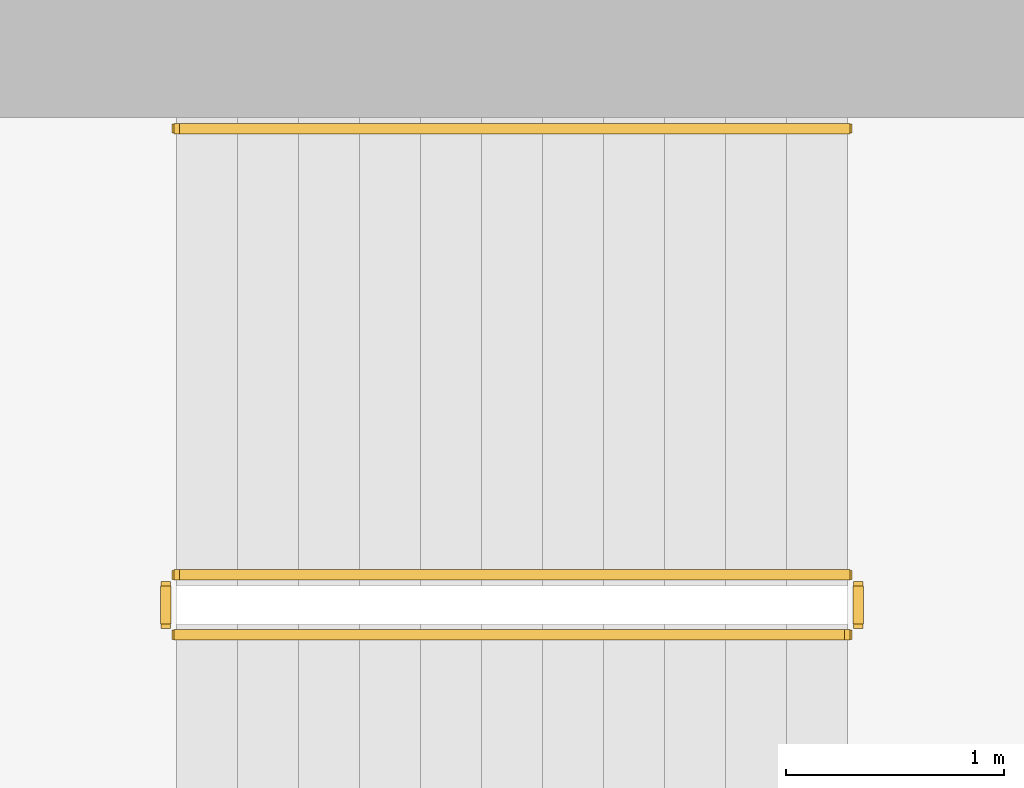
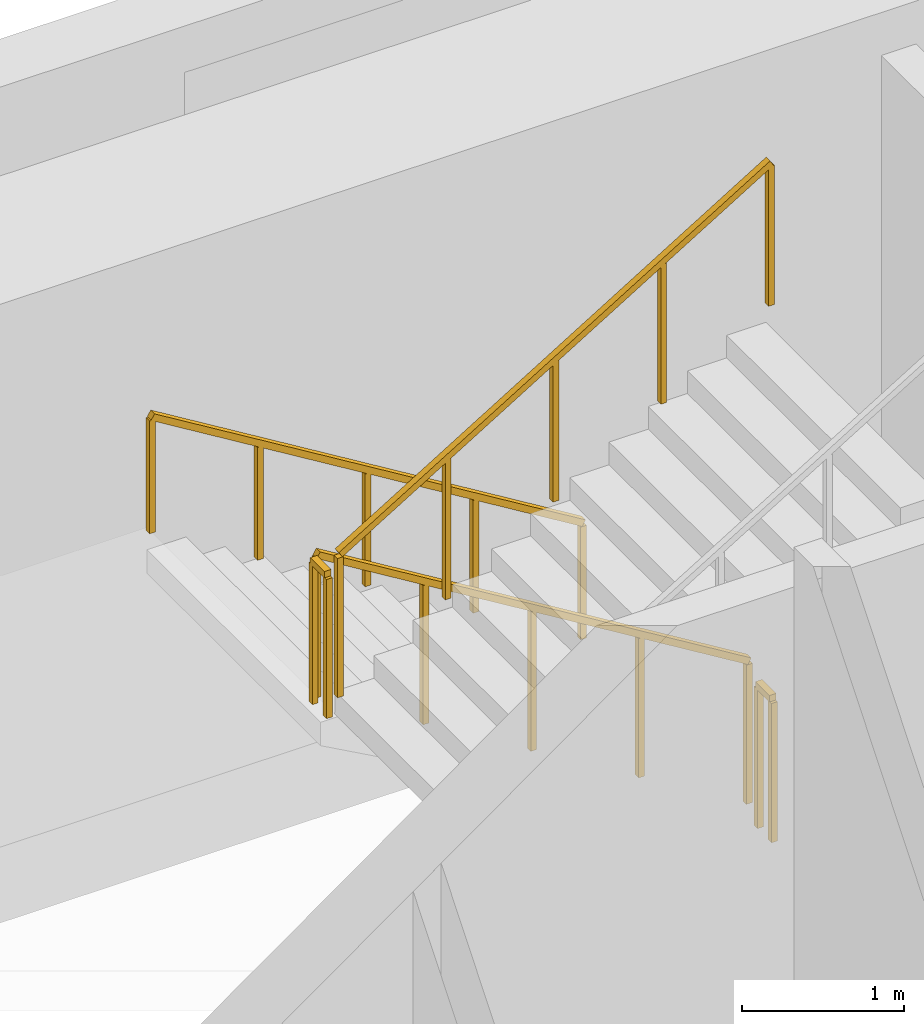
# One storey, part 13 of 14: 5 railings.
"""IFC4 building model written with IfcOpenShell, lengths in metres."""

from ifc_helpers import new_model, si_unit, direction, frame, origin, origin_2d, place, context, subcontext, project, spatial, rectangle, extrude, material, type_object, element, save


model = new_model("IFC4")

# Units and contexts
model_context = context("Model", 3, precision=1e-05, world=origin(), true_north=direction((0.0, 1.0)))
body_context = subcontext(model_context, "Body", "Model", "MODEL_VIEW")
ifc_project = project(units=[si_unit("LENGTHUNIT", "METRE"), si_unit("AREAUNIT", "SQUARE_METRE"), si_unit("VOLUMEUNIT", "CUBIC_METRE"), si_unit("PLANEANGLEUNIT", "RADIAN"), si_unit("MASSUNIT", "GRAM", prefix="KILO")], contexts=[model_context])

# Site, building, storey
site_placement = place(None, origin())
site = spatial("IfcSite", under=ifc_project, at=site_placement, CompositionType="ELEMENT")
building_placement = place(site_placement, origin())
building = spatial("IfcBuilding", under=site, at=building_placement, Name="Cypress Arch Tower", CompositionType="ELEMENT")
storey_placement = place(building_placement, frame((0.0, 0.0, 268.0)))
storey = spatial("IfcBuildingStorey", under=building, at=storey_placement, Name="L60", CompositionType="ELEMENT", Elevation=268.0)

# Railings
ifc_material_1 = material(Name="Black powder-coated steel square bar 48 mm", Category="steel")
railing_type_1 = type_object("IfcRailingType", Name="Stair handrail HR1", PredefinedType="HANDRAIL", material=ifc_material_1)
railing_1_placement = place(storey_placement, frame((-22.27490234375, 14.75, 0.1708984375)))
element("IfcRailing", 1, at=railing_1_placement, inside=storey, type_object=railing_type_1, Name="L60 B stair handrail 1", PredefinedType="HANDRAIL", context=body_context, shape_type="SweptSolid", body=[
    extrude(rectangle(XDim=0.048095703125, YDim=0.048095703125, at=origin_2d()), frame((0.0, 0.0, 0.8759765625), z_axis=(-0.853666305674, 0.0, 0.52082035152), x_axis=(0.0, -1.0, 0.0)), (0.0, 0.0, 1.0), 3.608154296875),
    extrude(rectangle(XDim=0.0419921875, YDim=0.0419921875, at=origin_2d()), origin(), (0.0, 0.0, 1.0), 0.851806640625),
    extrude(rectangle(XDim=0.0419921875, YDim=0.0419921875, at=origin_2d()), frame((-0.77001953125, 0.0, 0.4697265625)), (0.0, 0.0, 1.0), 0.851806640625),
    extrude(rectangle(XDim=0.0419921875, YDim=0.0419921875, at=origin_2d()), frame((-1.5400390625, 0.0, 0.939453125)), (0.0, 0.0, 1.0), 0.851806640625),
    extrude(rectangle(XDim=0.0419921875, YDim=0.0419921875, at=origin_2d()), frame((-2.31005859375, 0.0, 1.409423828125)), (0.0, 0.0, 1.0), 0.851806640625),
    extrude(rectangle(XDim=0.0419921875, YDim=0.0419921875, at=origin_2d()), frame((-3.080078125, 0.0, 1.879150390625)), (0.0, 0.0, 1.0), 0.851806640625),
])
ifc_material_2 = material(Name="Black powder-coated steel balusters", Category="steel")
railing_type_2 = type_object("IfcRailingType", Name="Stair well guard G1", PredefinedType="GUARDRAIL", material=ifc_material_2)
railing_2_placement = place(storey_placement, frame((-22.27490234375, 12.699951171875, 0.1708984375)))
element("IfcRailing", 2, at=railing_2_placement, inside=storey, type_object=railing_type_2, Name="L60 B stair guard 1", PredefinedType="GUARDRAIL", context=body_context, shape_type="SweptSolid", body=[
    extrude(rectangle(XDim=0.048095703125, YDim=0.048095703125, at=origin_2d()), frame((0.0, 0.0, 1.076171875), z_axis=(-0.853666305674, 0.0, 0.52082035152), x_axis=(0.0, -1.0, 0.0)), (0.0, 0.0, 1.0), 3.608154296875),
    extrude(rectangle(XDim=0.0419921875, YDim=0.0419921875, at=origin_2d()), origin(), (0.0, 0.0, 1.0), 1.052001953125),
    extrude(rectangle(XDim=0.0419921875, YDim=0.0419921875, at=origin_2d()), frame((-0.77001953125, 0.0, 0.4697265625)), (0.0, 0.0, 1.0), 1.052001953125),
    extrude(rectangle(XDim=0.0419921875, YDim=0.0419921875, at=origin_2d()), frame((-1.5400390625, 0.0, 0.939453125)), (0.0, 0.0, 1.0), 1.052001953125),
    extrude(rectangle(XDim=0.0419921875, YDim=0.0419921875, at=origin_2d()), frame((-2.31005859375, 0.0, 1.409423828125)), (0.0, 0.0, 1.0), 1.052001953125),
    extrude(rectangle(XDim=0.0419921875, YDim=0.0419921875, at=origin_2d()), frame((-3.080078125, 0.0, 1.879150390625)), (0.0, 0.0, 1.0), 1.052001953125),
])
railing_3_placement = place(storey_placement, frame((-25.405029296875, 12.64990234375, 2.050048828125)))
element("IfcRailing", 3, at=railing_3_placement, inside=storey, type_object=railing_type_2, Name="L60 B stair guard 2", PredefinedType="GUARDRAIL", context=body_context, shape_type="SweptSolid", body=[
    extrude(rectangle(XDim=0.048095703125, YDim=0.048095703125, at=origin_2d()), frame((0.0, 0.0, 1.076171875), z_axis=(0.0, -1.0, 0.0), x_axis=(1.0, 0.0, 0.0)), (0.0, 0.0, 1.0), 0.1748046875),
    extrude(rectangle(XDim=0.0419921875, YDim=0.0419921875, at=origin_2d()), origin(), (0.0, 0.0, 1.0), 1.052001953125),
    extrude(rectangle(XDim=0.0419921875, YDim=0.0419921875, at=origin_2d()), frame((0.0, -0.1748046875, 0.0)), (0.0, 0.0, 1.0), 1.052001953125),
])
railing_4_placement = place(storey_placement, frame((-25.35498046875, 12.425048828125, 2.220947265625)))
element("IfcRailing", 4, at=railing_4_placement, inside=storey, type_object=railing_type_2, Name="L60 B stair guard 3", PredefinedType="GUARDRAIL", context=body_context, shape_type="SweptSolid", body=[
    extrude(rectangle(XDim=0.048095703125, YDim=0.048095703125, at=origin_2d()), frame((0.0, 0.0, 1.076171875), z_axis=(0.853666305674, 0.0, 0.52082035152), x_axis=(0.0, 1.0, 0.0)), (0.0, 0.0, 1.0), 3.608154296875),
    extrude(rectangle(XDim=0.0419921875, YDim=0.0419921875, at=origin_2d()), origin(), (0.0, 0.0, 1.0), 1.052001953125),
    extrude(rectangle(XDim=0.0419921875, YDim=0.0419921875, at=origin_2d()), frame((0.77001953125, 0.0, 0.4697265625)), (0.0, 0.0, 1.0), 1.052001953125),
    extrude(rectangle(XDim=0.0419921875, YDim=0.0419921875, at=origin_2d()), frame((1.5400390625, 0.0, 0.939453125)), (0.0, 0.0, 1.0), 1.052001953125),
    extrude(rectangle(XDim=0.0419921875, YDim=0.0419921875, at=origin_2d()), frame((2.31005859375, 0.0, 1.409423828125)), (0.0, 0.0, 1.0), 1.052001953125),
    extrude(rectangle(XDim=0.0419921875, YDim=0.0419921875, at=origin_2d()), frame((3.080078125, 0.0, 1.879150390625)), (0.0, 0.0, 1.0), 1.052001953125),
])
railing_5_placement = place(storey_placement, frame((-22.22509765625, 12.64990234375, 0.0)))
element("IfcRailing", 5, at=railing_5_placement, inside=storey, type_object=railing_type_2, Name="L60 B stair guard 4", PredefinedType="GUARDRAIL", context=body_context, shape_type="SweptSolid", body=[
    extrude(rectangle(XDim=0.048095703125, YDim=0.048095703125, at=origin_2d()), frame((0.0, 0.0, 1.076171875), z_axis=(0.0, -1.0, 0.0), x_axis=(1.0, 0.0, 0.0)), (0.0, 0.0, 1.0), 0.1748046875),
    extrude(rectangle(XDim=0.0419921875, YDim=0.0419921875, at=origin_2d()), origin(), (0.0, 0.0, 1.0), 1.052001953125),
    extrude(rectangle(XDim=0.0419921875, YDim=0.0419921875, at=origin_2d()), frame((0.0, -0.1748046875, 0.0)), (0.0, 0.0, 1.0), 1.052001953125),
])

save(model, "model.ifc")
